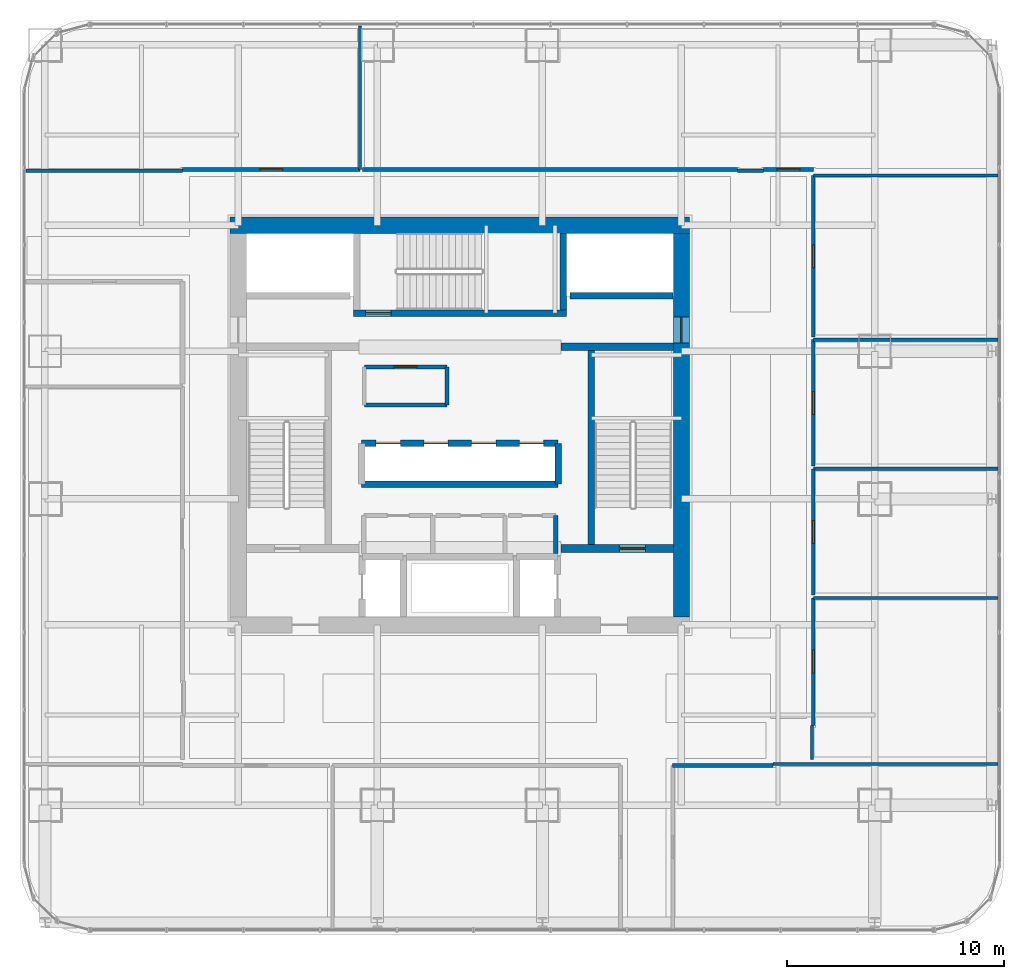
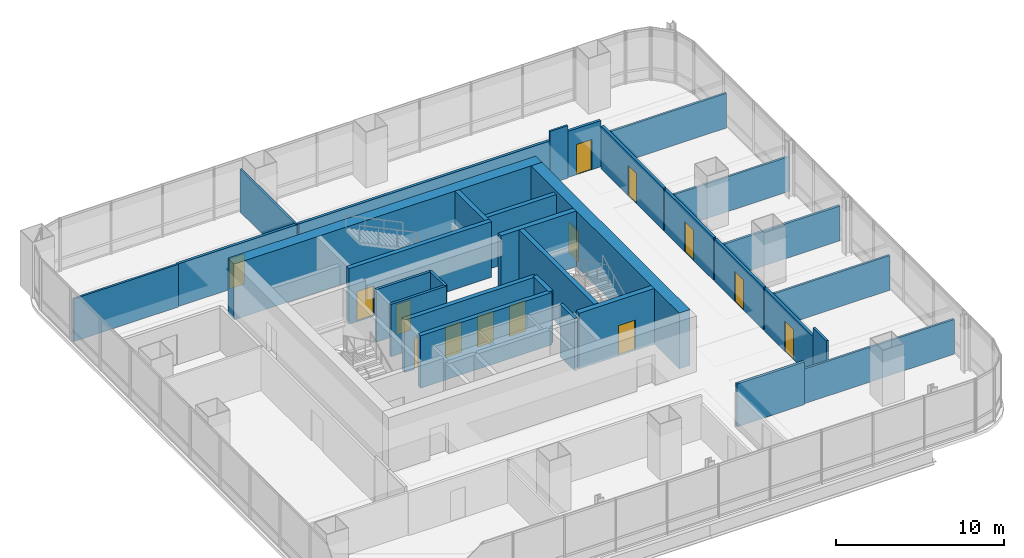
# One storey, part 28 of 34: 32 walls, 14 doors, 14 openings.
"""IFC4 building model written with IfcOpenShell, lengths in metres."""

from ifc_helpers import new_model, si_unit, direction, frame, frame_2d, origin, place, context, subcontext, project, spatial, rectangle, extrude, material, layer, layer_set, type_object, element, fill, save


model = new_model("IFC4")

# Units and contexts
model_context = context("Model", 3, precision=1e-05, world=origin(), true_north=direction((0.0, 1.0)))
body_context = subcontext(model_context, "Body", "Model", "MODEL_VIEW")
ifc_project = project(units=[si_unit("LENGTHUNIT", "METRE"), si_unit("AREAUNIT", "SQUARE_METRE"), si_unit("VOLUMEUNIT", "CUBIC_METRE"), si_unit("PLANEANGLEUNIT", "RADIAN"), si_unit("MASSUNIT", "GRAM", prefix="KILO")], contexts=[model_context])

# Site, building, storey
site_placement = place(None, origin())
site = spatial("IfcSite", under=ifc_project, at=site_placement, CompositionType="ELEMENT")
building_placement = place(site_placement, origin())
building = spatial("IfcBuilding", under=site, at=building_placement, Name="Punatoya Terracotta Tower", CompositionType="ELEMENT")
storey_placement = place(building_placement, frame((0.0, 0.0, 84.89990234375)))
storey = spatial("IfcBuildingStorey", under=building, at=storey_placement, Name="L19", CompositionType="ELEMENT", Elevation=84.89990234375)

# Wall
ifc_material_1 = material(Name="Concrete C60/75", Category="concrete")
ifc_layer_1 = layer(ifc_material_1, 0.75)
ifc_layer_set_1 = layer_set([ifc_layer_1], Name="Concrete C60/75")
wall_type_1 = type_object("IfcWallType", Name="WL-COR-750", PredefinedType="SHEAR", material=ifc_layer_set_1)
wall_1_placement = place(storey_placement, frame((-10.574951171875, 9.199951171875, 0.0), z_axis=(0.0, 0.0, 1.0), x_axis=(1.0, 0.0, 0.0)))
element("IfcWall", 1, at=wall_1_placement, inside=storey, type_object=wall_type_1, Name="L19 Core Shear Wall N", PredefinedType="SHEAR", context=body_context, shape_type="SweptSolid", body=[
    extrude(rectangle(XDim=21.14990234375, YDim=0.75, at=frame_2d((10.574951171875, 0.0))), origin(), (0.0, 0.0, 1.0), 4.050048828125),
])

# Wall, opening, door
wall_2_placement = place(storey_placement, frame((10.199951171875, 8.824951171875, 0.0), z_axis=(0.0, 0.0, 1.0), x_axis=(0.0, -1.0, 0.0)))
wall_2 = element("IfcWall", 2, at=wall_2_placement, inside=storey, type_object=wall_type_1, Name="L19 Core Shear Wall E", PredefinedType="SHEAR", context=body_context, shape_type="SweptSolid", body=[
    extrude(rectangle(XDim=17.64990234375, YDim=0.75, at=frame_2d((8.824951171875, 0.0))), origin(), (0.0, 0.0, 1.0), 4.050048828125),
])
opening_1_placement = place(wall_2_placement, frame((3.85498046875, 0.0, 0.0)))
opening_1 = element("IfcOpeningElement", 3, at=opening_1_placement, cuts=wall_2, Name="Opening SD-01", PredefinedType="OPENING", context=body_context, shape_type="SweptSolid", body=[
    extrude(rectangle(XDim=1.179931640625, YDim=2.199951171875, at=frame_2d((0.58984375, 1.10009765625))), frame((0.0, 0.385009765625, 0.0), z_axis=(0.0, -1.0, 0.0), x_axis=(1.0, 0.0, 0.0)), (0.0, 0.0, 1.0), 0.77001953125),
])
ifc_material_2 = material(Name="Galvanised Steel Pressurized Stair Fire Door", Category="steel")
door_type_1 = type_object("IfcDoorType", Name="DR-STR-1180", OperationType="NOTDEFINED", PredefinedType="DOOR", material=ifc_material_2)
door_1_placement = place(opening_1_placement, origin())
door_1 = element("IfcDoor", 4, at=door_1_placement, inside=storey, type_object=door_type_1, Name="L19 Central Lift Lobby East Fire Door", OperationType="SINGLE_SWING_RIGHT", OverallHeight=2.199951171875, OverallWidth=1.179931640625, PredefinedType="DOOR", context=body_context, shape_type="SweptSolid", body=[
    extrude(rectangle(XDim=1.179931640625, YDim=2.199951171875, at=frame_2d((0.58984375, 1.10009765625))), frame((0.0, 0.02490234375, 0.0), z_axis=(0.0, -1.0, 0.0), x_axis=(1.0, 0.0, 0.0)), (0.0, 0.0, 1.0), 0.050048828125),
])
fill(opening_1, door_1)

# Wall
ifc_material_3 = material(Name="Gypsum Fireboard + Steel Stud", Category="steel")
ifc_layer_2 = layer(ifc_material_3, 0.179931640625)
ifc_layer_set_2 = layer_set([ifc_layer_2], Name="Gypsum Fireboard + Steel Stud")
wall_type_2 = type_object("IfcWallType", Name="WL-CORR-180", PredefinedType="PARTITIONING", material=ifc_layer_set_2)
wall_3_placement = place(storey_placement, frame((-0.60009765625, 0.919921875, 0.0), z_axis=(0.0, 0.0, 1.0), x_axis=(0.0, 1.0, 0.0)))
element("IfcWall", 5, at=wall_3_placement, inside=storey, type_object=wall_type_2, Name="L19 West Core Archive Office Partition 08", PredefinedType="PARTITIONING", context=body_context, shape_type="SweptSolid", body=[
    extrude(rectangle(XDim=1.760009765625, YDim=0.179931640625, at=frame_2d((0.8798828125, 0.0))), origin(), (0.0, 0.0, 1.0), 3.81005859375),
])

# Wall, opening, door
wall_4_placement = place(storey_placement, frame((-0.60009765625, 2.679931640625, 0.0), z_axis=(0.0, 0.0, 1.0), x_axis=(-1.0, 0.0, 0.0)))
wall_4 = element("IfcWall", 6, at=wall_4_placement, inside=storey, type_object=wall_type_2, Name="L19 West Core Archive Office Partition 09", PredefinedType="PARTITIONING", context=body_context, shape_type="SweptSolid", body=[
    extrude(rectangle(XDim=3.7998046875, YDim=0.179931640625, at=frame_2d((1.89990234375, 0.0))), origin(), (0.0, 0.0, 1.0), 3.81005859375),
])
opening_2_placement = place(wall_4_placement, frame((1.375, 0.0, 0.0)))
opening_2 = element("IfcOpeningElement", 7, at=opening_2_placement, cuts=wall_4, Name="Opening OD-01", PredefinedType="OPENING", context=body_context, shape_type="SweptSolid", body=[
    extrude(rectangle(XDim=1.050048828125, YDim=2.199951171875, at=frame_2d((0.52490234375, 1.10009765625))), frame((0.0, 0.099853515625, 0.0), z_axis=(0.0, -1.0, 0.0), x_axis=(1.0, 0.0, 0.0)), (0.0, 0.0, 1.0), 0.199951171875),
])
ifc_material_4 = material(Name="Bengal Teak Solid-Core Leaf")
door_type_2 = type_object("IfcDoorType", Name="DR-OFF-1050", OperationType="NOTDEFINED", PredefinedType="DOOR", material=ifc_material_4)
door_2_placement = place(opening_2_placement, origin())
door_2 = element("IfcDoor", 8, at=door_2_placement, inside=storey, type_object=door_type_2, Name="L19 West Archive Office Door", OperationType="SINGLE_SWING_RIGHT", OverallHeight=2.199951171875, OverallWidth=1.050048828125, PredefinedType="DOOR", context=body_context, shape_type="SweptSolid", body=[
    extrude(rectangle(XDim=1.050048828125, YDim=2.199951171875, at=frame_2d((0.52490234375, 1.10009765625))), frame((0.0, 0.02490234375, 0.0), z_axis=(0.0, -1.0, 0.0), x_axis=(1.0, 0.0, 0.0)), (0.0, 0.0, 1.0), 0.050048828125),
])
fill(opening_2, door_2)

# Walls
wall_5_placement = place(storey_placement, frame((-4.39990234375, 0.919921875, 0.0), z_axis=(0.0, 0.0, 1.0), x_axis=(1.0, 0.0, 0.0)))
element("IfcWall", 9, at=wall_5_placement, inside=storey, type_object=wall_type_2, Name="L19 West Core Archive Office Partition 11", PredefinedType="PARTITIONING", context=body_context, shape_type="SweptSolid", body=[
    extrude(rectangle(XDim=3.7998046875, YDim=0.179931640625, at=frame_2d((1.89990234375, 0.0))), origin(), (0.0, 0.0, 1.0), 3.81005859375),
])
wall_6_placement = place(storey_placement, frame((9.800048828125, -15.669921875, 0.0), z_axis=(0.0, 0.0, 1.0), x_axis=(1.0, 0.0, 0.0)))
element("IfcWall", 10, at=wall_6_placement, inside=storey, type_object=wall_type_2, Name="L19 Open-Plan Materials Testing Laboratory Partition 18", PredefinedType="PARTITIONING", context=body_context, shape_type="SweptSolid", body=[
    extrude(rectangle(XDim=4.619873046875, YDim=0.179931640625, at=frame_2d((2.31005859375, 0.0))), origin(), (0.0, 0.0, 1.0), 3.10400390625),
])

# Wall, opening, door
wall_7_placement = place(storey_placement, frame((16.27001953125, -13.820068359375, 0.0), z_axis=(0.0, 0.0, 1.0), x_axis=(0.0, 1.0, 0.0)))
wall_7 = element("IfcWall", 11, at=wall_7_placement, inside=storey, type_object=wall_type_2, Name="L19 Environmental Research Laboratory Partition 21", PredefinedType="PARTITIONING", context=body_context, shape_type="SweptSolid", body=[
    extrude(rectangle(XDim=5.8701171875, YDim=0.179931640625, at=frame_2d((2.93505859375, 0.0))), origin(), (0.0, 0.0, 1.0), 3.10400390625),
])
opening_3_placement = place(wall_7_placement, frame((2.409912109375, 0.0, 0.0)))
opening_3 = element("IfcOpeningElement", 12, at=opening_3_placement, cuts=wall_7, Name="Opening OD-01", PredefinedType="OPENING", context=body_context, shape_type="SweptSolid", body=[
    extrude(rectangle(XDim=1.050048828125, YDim=2.199951171875, at=frame_2d((0.52490234375, 1.10009765625))), frame((0.0, 0.099853515625, 0.0), z_axis=(0.0, -1.0, 0.0), x_axis=(1.0, 0.0, 0.0)), (0.0, 0.0, 1.0), 0.199951171875),
])
door_3_placement = place(opening_3_placement, origin())
door_3 = element("IfcDoor", 13, at=door_3_placement, inside=storey, type_object=door_type_2, Name="L19 Environmental Research Laboratory Door", OperationType="SINGLE_SWING_RIGHT", OverallHeight=2.199951171875, OverallWidth=1.050048828125, PredefinedType="DOOR", context=body_context, shape_type="SweptSolid", body=[
    extrude(rectangle(XDim=1.050048828125, YDim=2.199951171875, at=frame_2d((0.52490234375, 1.10009765625))), frame((0.0, 0.02490234375, 0.0), z_axis=(0.0, -1.0, 0.0), x_axis=(1.0, 0.0, 0.0)), (0.0, 0.0, 1.0), 0.050048828125),
])
fill(opening_3, door_3)

wall_8_placement = place(storey_placement, frame((16.27001953125, -7.830078125, 0.0), z_axis=(0.0, 0.0, 1.0), x_axis=(0.0, 1.0, 0.0)))
wall_8 = element("IfcWall", 14, at=wall_8_placement, inside=storey, type_object=wall_type_2, Name="L19 Open-Plan Laboratory Staff Pantry Partition 27", PredefinedType="PARTITIONING", context=body_context, shape_type="SweptSolid", body=[
    extrude(rectangle(XDim=5.820068359375, YDim=0.179931640625, at=frame_2d((2.91015625, 0.0))), origin(), (0.0, 0.0, 1.0), 3.10400390625),
])
opening_4_placement = place(wall_8_placement, frame((2.385009765625, 0.0, 0.0)))
opening_4 = element("IfcOpeningElement", 15, at=opening_4_placement, cuts=wall_8, Name="Opening OD-01", PredefinedType="OPENING", context=body_context, shape_type="SweptSolid", body=[
    extrude(rectangle(XDim=1.050048828125, YDim=2.199951171875, at=frame_2d((0.52490234375, 1.10009765625))), frame((0.0, 0.099853515625, 0.0), z_axis=(0.0, -1.0, 0.0), x_axis=(1.0, 0.0, 0.0)), (0.0, 0.0, 1.0), 0.199951171875),
])
door_4_placement = place(opening_4_placement, origin())
door_4 = element("IfcDoor", 16, at=door_4_placement, inside=storey, type_object=door_type_2, Name="L19 Open-Plan Laboratory Staff Pantry Door", OperationType="SINGLE_SWING_RIGHT", OverallHeight=2.199951171875, OverallWidth=1.050048828125, PredefinedType="DOOR", context=body_context, shape_type="SweptSolid", body=[
    extrude(rectangle(XDim=1.050048828125, YDim=2.199951171875, at=frame_2d((0.52490234375, 1.10009765625))), frame((0.0, 0.02490234375, 0.0), z_axis=(0.0, -1.0, 0.0), x_axis=(1.0, 0.0, 0.0)), (0.0, 0.0, 1.0), 0.050048828125),
])
fill(opening_4, door_4)

wall_9_placement = place(storey_placement, frame((16.27001953125, -1.889892578125, 0.0), z_axis=(0.0, 0.0, 1.0), x_axis=(0.0, 1.0, 0.0)))
wall_9 = element("IfcWall", 17, at=wall_9_placement, inside=storey, type_object=wall_type_2, Name="L19 Open-Plan Wellness Rest Room Partition 29", PredefinedType="PARTITIONING", context=body_context, shape_type="SweptSolid", body=[
    extrude(rectangle(XDim=5.81982421875, YDim=0.179931640625, at=frame_2d((2.909912109375, 0.0))), origin(), (0.0, 0.0, 1.0), 3.10400390625),
])
opening_5_placement = place(wall_9_placement, frame((2.385009765625, 0.0, 0.0)))
opening_5 = element("IfcOpeningElement", 18, at=opening_5_placement, cuts=wall_9, Name="Opening OD-01", PredefinedType="OPENING", context=body_context, shape_type="SweptSolid", body=[
    extrude(rectangle(XDim=1.050048828125, YDim=2.199951171875, at=frame_2d((0.52490234375, 1.10009765625))), frame((0.0, 0.099853515625, 0.0), z_axis=(0.0, -1.0, 0.0), x_axis=(1.0, 0.0, 0.0)), (0.0, 0.0, 1.0), 0.199951171875),
])
door_5_placement = place(opening_5_placement, origin())
door_5 = element("IfcDoor", 19, at=door_5_placement, inside=storey, type_object=door_type_2, Name="L19 Open-Plan Wellness Rest Room Door", OperationType="SINGLE_SWING_LEFT", OverallHeight=2.199951171875, OverallWidth=1.050048828125, PredefinedType="DOOR", context=body_context, shape_type="SweptSolid", body=[
    extrude(rectangle(XDim=1.050048828125, YDim=2.199951171875, at=frame_2d((0.52490234375, 1.10009765625))), frame((0.0, 0.02490234375, 0.0), z_axis=(0.0, -1.0, 0.0), x_axis=(1.0, 0.0, 0.0)), (0.0, 0.0, 1.0), 0.050048828125),
])
fill(opening_5, door_5)

wall_10_placement = place(storey_placement, frame((16.27001953125, 4.050048828125, 0.0), z_axis=(0.0, 0.0, 1.0), x_axis=(0.0, 1.0, 0.0)))
wall_10 = element("IfcWall", 20, at=wall_10_placement, inside=storey, type_object=wall_type_2, Name="L19 Hydrology Modelling Laboratory Partition 33", PredefinedType="PARTITIONING", context=body_context, shape_type="SweptSolid", body=[
    extrude(rectangle(XDim=7.43994140625, YDim=0.179931640625, at=frame_2d((3.719970703125, 0.0))), origin(), (0.0, 0.0, 1.0), 3.10400390625),
])
opening_6_placement = place(wall_10_placement, frame((3.195068359375, 0.0, 0.0)))
opening_6 = element("IfcOpeningElement", 21, at=opening_6_placement, cuts=wall_10, Name="Opening OD-01", PredefinedType="OPENING", context=body_context, shape_type="SweptSolid", body=[
    extrude(rectangle(XDim=1.050048828125, YDim=2.199951171875, at=frame_2d((0.52490234375, 1.10009765625))), frame((0.0, 0.099853515625, 0.0), z_axis=(0.0, -1.0, 0.0), x_axis=(1.0, 0.0, 0.0)), (0.0, 0.0, 1.0), 0.199951171875),
])
door_6_placement = place(opening_6_placement, origin())
door_6 = element("IfcDoor", 22, at=door_6_placement, inside=storey, type_object=door_type_2, Name="L19 Hydrology Modelling Laboratory Door", OperationType="SINGLE_SWING_LEFT", OverallHeight=2.199951171875, OverallWidth=1.050048828125, PredefinedType="DOOR", context=body_context, shape_type="SweptSolid", body=[
    extrude(rectangle(XDim=1.050048828125, YDim=2.199951171875, at=frame_2d((0.52490234375, 1.10009765625))), frame((0.0, 0.02490234375, 0.0), z_axis=(0.0, -1.0, 0.0), x_axis=(1.0, 0.0, 0.0)), (0.0, 0.0, 1.0), 0.050048828125),
])
fill(opening_6, door_6)

wall_11_placement = place(storey_placement, frame((-4.60498046875, 11.77001953125, 0.0), z_axis=(0.0, 0.0, 1.0), x_axis=(-1.0, 0.0, 0.0)))
wall_11 = element("IfcWall", 23, at=wall_11_placement, inside=storey, type_object=wall_type_2, Name="L19 Open-Plan Urban Analytics Laboratory Partition 36", PredefinedType="PARTITIONING", context=body_context, shape_type="SweptSolid", body=[
    extrude(rectangle(XDim=8.1650390625, YDim=0.179931640625, at=frame_2d((4.08251953125, 0.0))), origin(), (0.0, 0.0, 1.0), 3.10400390625),
])
opening_7_placement = place(wall_11_placement, frame((3.5576171875, 0.0, 0.0)))
opening_7 = element("IfcOpeningElement", 24, at=opening_7_placement, cuts=wall_11, Name="Opening OD-01", PredefinedType="OPENING", context=body_context, shape_type="SweptSolid", body=[
    extrude(rectangle(XDim=1.050048828125, YDim=2.199951171875, at=frame_2d((0.52490234375, 1.10009765625))), frame((0.0, 0.099853515625, 0.0), z_axis=(0.0, -1.0, 0.0), x_axis=(1.0, 0.0, 0.0)), (0.0, 0.0, 1.0), 0.199951171875),
])
door_7_placement = place(opening_7_placement, origin())
door_7 = element("IfcDoor", 25, at=door_7_placement, inside=storey, type_object=door_type_2, Name="L19 Open-Plan Urban Analytics Laboratory Door", OperationType="SINGLE_SWING_RIGHT", OverallHeight=2.199951171875, OverallWidth=1.050048828125, PredefinedType="DOOR", context=body_context, shape_type="SweptSolid", body=[
    extrude(rectangle(XDim=1.050048828125, YDim=2.199951171875, at=frame_2d((0.52490234375, 1.10009765625))), frame((0.0, 0.02490234375, 0.0), z_axis=(0.0, -1.0, 0.0), x_axis=(1.0, 0.0, 0.0)), (0.0, 0.0, 1.0), 0.050048828125),
])
fill(opening_7, door_7)

wall_12_placement = place(storey_placement, frame((16.27001953125, 11.77001953125, 0.0), z_axis=(0.0, 0.0, 1.0), x_axis=(-1.0, 0.0, 0.0)))
wall_12 = element("IfcWall", 26, at=wall_12_placement, inside=storey, type_object=wall_type_2, Name="L19 Computational Simulation Laboratory Partition 38", PredefinedType="PARTITIONING", context=body_context, shape_type="SweptSolid", body=[
    extrude(rectangle(XDim=2.2900390625, YDim=0.179931640625, at=frame_2d((1.14501953125, 0.0))), origin(), (0.0, 0.0, 1.0), 3.35400390625),
])
opening_8_placement = place(wall_12_placement, frame((0.6201171875, 0.0, 0.0)))
opening_8 = element("IfcOpeningElement", 27, at=opening_8_placement, cuts=wall_12, Name="Opening OD-01", PredefinedType="OPENING", context=body_context, shape_type="SweptSolid", body=[
    extrude(rectangle(XDim=1.050048828125, YDim=2.199951171875, at=frame_2d((0.52490234375, 1.10009765625))), frame((0.0, 0.099853515625, 0.0), z_axis=(0.0, -1.0, 0.0), x_axis=(1.0, 0.0, 0.0)), (0.0, 0.0, 1.0), 0.199951171875),
])
door_8_placement = place(opening_8_placement, origin())
door_8 = element("IfcDoor", 28, at=door_8_placement, inside=storey, type_object=door_type_2, Name="L19 Computational Simulation Laboratory Door", OperationType="SINGLE_SWING_LEFT", OverallHeight=2.199951171875, OverallWidth=1.050048828125, PredefinedType="DOOR", context=body_context, shape_type="SweptSolid", body=[
    extrude(rectangle(XDim=1.050048828125, YDim=2.199951171875, at=frame_2d((0.52490234375, 1.10009765625))), frame((0.0, 0.02490234375, 0.0), z_axis=(0.0, -1.0, 0.0), x_axis=(1.0, 0.0, 0.0)), (0.0, 0.0, 1.0), 0.050048828125),
])
fill(opening_8, door_8)

# Walls
wall_13_placement = place(storey_placement, frame((12.77001953125, 11.77001953125, 0.0), z_axis=(0.0, 0.0, 1.0), x_axis=(-1.0, 0.0, 0.0)))
element("IfcWall", 29, at=wall_13_placement, inside=storey, type_object=wall_type_2, Name="L19 Computational Simulation Laboratory Partition 40", PredefinedType="PARTITIONING", context=body_context, shape_type="SweptSolid", body=[
    extrude(rectangle(XDim=17.255126953125, YDim=0.179931640625, at=frame_2d((8.62744140625, 0.0))), origin(), (0.0, 0.0, 1.0), 3.10400390625),
])
ifc_material_5 = material(Name="Concrete C40/50", Category="concrete")
ifc_layer_3 = layer(ifc_material_5, 0.199951171875)
ifc_layer_set_3 = layer_set([ifc_layer_3], Name="Concrete C40/50")
wall_type_3 = type_object("IfcWallType", Name="WL-INT-200", PredefinedType="SOLIDWALL", material=ifc_layer_set_3)
wall_14_placement = place(storey_placement, frame((4.419921875, -5.89990234375, 0.0), z_axis=(0.0, 0.0, 1.0), x_axis=(0.0, 1.0, 0.0)))
element("IfcWall", 30, at=wall_14_placement, inside=storey, type_object=wall_type_3, Name="L19 Core Electrical Switchgear Room Partition 06", PredefinedType="SOLIDWALL", context=body_context, shape_type="SweptSolid", body=[
    extrude(rectangle(XDim=1.739990234375, YDim=0.199951171875, at=frame_2d((0.8701171875, 0.0))), origin(), (0.0, 0.0, 1.0), 3.81005859375),
])
ifc_material_6 = material(Name="Acoustic Gypsum + Steel Stud", Category="steel")
ifc_layer_4 = layer(ifc_material_6, 0.139892578125)
ifc_layer_set_4 = layer_set([ifc_layer_4], Name="Acoustic Gypsum + Steel Stud")
wall_type_4 = type_object("IfcWallType", Name="WL-OFF-140", PredefinedType="PARTITIONING", material=ifc_layer_set_4)
wall_15_placement = place(storey_placement, frame((14.419921875, -15.610107421875, 0.0), z_axis=(0.0, 0.0, 1.0), x_axis=(1.0, 0.0, 0.0)))
element("IfcWall", 31, at=wall_15_placement, inside=storey, type_object=wall_type_4, Name="L19 Open-Plan Materials Testing Laboratory Partition 19", PredefinedType="PARTITIONING", context=body_context, shape_type="SweptSolid", body=[
    extrude(rectangle(XDim=10.35009765625, YDim=0.139892578125, at=frame_2d((5.175048828125, 0.0))), origin(), (0.0, 0.0, 1.0), 2.524169921875),
])
wall_16_placement = place(storey_placement, frame((16.2099609375, -15.389892578125, 0.0), z_axis=(0.0, 0.0, 1.0), x_axis=(0.0, 1.0, 0.0)))
element("IfcWall", 32, at=wall_16_placement, inside=storey, type_object=wall_type_4, Name="L19 Environmental Research Laboratory Partition 20", PredefinedType="PARTITIONING", context=body_context, shape_type="SweptSolid", body=[
    extrude(rectangle(XDim=1.56982421875, YDim=0.139892578125, at=frame_2d((0.784912109375, 0.0))), origin(), (0.0, 0.0, 1.0), 3.81005859375),
])
for number, where, z_axis, x_axis, name in (
    (33, (16.27001953125, -7.949951171875, 0.0), (0.0, 0.0, 1.0), (1.0, 0.0, 0.0), "L19 Environmental Research Laboratory Partition 22"),
    (34, (16.27001953125, 3.929931640625, 0.0), (0.0, 0.0, 1.0), (1.0, 0.0, 0.0), "L19 Open-Plan Wellness Rest Room Partition 30"),
    (35, (16.27001953125, 11.489990234375, 0.0), (0.0, 0.0, 1.0), (1.0, 0.0, 0.0), "L19 Hydrology Modelling Laboratory Partition 34"),
):
    element("IfcWall", number, at=place(storey_placement, frame(where, z_axis=z_axis, x_axis=x_axis)), inside=storey, type_object=wall_type_4, Name=name, PredefinedType="PARTITIONING", context=body_context, shape_type="SweptSolid", body=[
        extrude(rectangle(XDim=8.5, YDim=0.139892578125, at=frame_2d((4.25, 0.0))), origin(), (0.0, 0.0, 1.0), 2.524169921875),
    ])
wall_17_placement = place(storey_placement, frame((-4.60498046875, 18.3701171875, 0.0), z_axis=(0.0, 0.0, 1.0), x_axis=(0.0, -1.0, 0.0)))
element("IfcWall", 36, at=wall_17_placement, inside=storey, type_object=wall_type_4, Name="L19 Open-Plan Urban Analytics Laboratory Partition 35", PredefinedType="PARTITIONING", context=body_context, shape_type="SweptSolid", body=[
    extrude(rectangle(XDim=6.60009765625, YDim=0.139892578125, at=frame_2d((3.300048828125, 0.0))), origin(), (0.0, 0.0, 1.0), 3.10400390625),
])
wall_18_placement = place(storey_placement, frame((-12.77001953125, 11.7099609375, 0.0), z_axis=(0.0, 0.0, 1.0), x_axis=(-1.0, 0.0, 0.0)))
element("IfcWall", 37, at=wall_18_placement, inside=storey, type_object=wall_type_4, Name="L19 Open-Plan Urban Analytics Laboratory Partition 37", PredefinedType="PARTITIONING", context=body_context, shape_type="SweptSolid", body=[
    extrude(rectangle(XDim=7.199951171875, YDim=0.139892578125, at=frame_2d((3.60009765625, 0.0))), origin(), (0.0, 0.0, 1.0), 3.10400390625),
])
wall_19_placement = place(storey_placement, frame((13.97998046875, 11.7099609375, 0.0), z_axis=(0.0, 0.0, 1.0), x_axis=(-1.0, 0.0, 0.0)))
element("IfcWall", 38, at=wall_19_placement, inside=storey, type_object=wall_type_4, Name="L19 Computational Simulation Laboratory Partition 39", PredefinedType="PARTITIONING", context=body_context, shape_type="SweptSolid", body=[
    extrude(rectangle(XDim=1.2099609375, YDim=0.139892578125, at=frame_2d((0.60498046875, 0.0))), origin(), (0.0, 0.0, 1.0), 3.81005859375),
])
ifc_layer_5 = layer(ifc_material_5, 0.300048828125)
ifc_layer_set_5 = layer_set([ifc_layer_5], Name="Concrete C40/50")
wall_type_5 = type_object("IfcWallType", Name="WL-SHF-300", PredefinedType="SOLIDWALL", material=ifc_layer_set_5)
wall_20_placement = place(storey_placement, frame((6.050048828125, 3.449951171875, 0.0), z_axis=(0.0, 0.0, 1.0), x_axis=(0.0, -1.0, 0.0)))
element("IfcWall", 39, at=wall_20_placement, inside=storey, type_object=wall_type_5, Name="L19 Structural Stair Shaft Wall SW-ST2-W", PredefinedType="SOLIDWALL", context=body_context, shape_type="SweptSolid", body=[
    extrude(rectangle(XDim=8.949951171875, YDim=0.300048828125, at=frame_2d((4.47509765625, 0.0))), origin(), (0.0, 0.0, 1.0), 4.050048828125),
])
wall_21_placement = place(storey_placement, frame((4.75, 8.824951171875, 0.0), z_axis=(0.0, 0.0, 1.0), x_axis=(0.0, -1.0, 0.0)))
element("IfcWall", 40, at=wall_21_placement, inside=storey, type_object=wall_type_5, Name="L19 Structural Stair Shaft Wall SW-ST3-E", PredefinedType="SOLIDWALL", context=body_context, shape_type="SweptSolid", body=[
    extrude(rectangle(XDim=3.52490234375, YDim=0.300048828125, at=frame_2d((1.762451171875, 0.0))), origin(), (0.0, 0.0, 1.0), 4.050048828125),
])

# Wall, opening, door
wall_22_placement = place(storey_placement, frame((-4.89990234375, 5.14990234375, 0.0), z_axis=(0.0, 0.0, 1.0), x_axis=(1.0, 0.0, 0.0)))
wall_22 = element("IfcWall", 41, at=wall_22_placement, inside=storey, type_object=wall_type_5, Name="L19 Structural Stair Shaft Wall SW-ST3-S", PredefinedType="SOLIDWALL", context=body_context, shape_type="SweptSolid", body=[
    extrude(rectangle(XDim=9.7998046875, YDim=0.300048828125, at=frame_2d((4.89990234375, 0.0))), origin(), (0.0, 0.0, 1.0), 4.050048828125),
])
opening_9_placement = place(wall_22_placement, frame((0.56005859375, 0.0, 0.0)))
opening_9 = element("IfcOpeningElement", 42, at=opening_9_placement, cuts=wall_22, Name="Opening SD-01", PredefinedType="OPENING", context=body_context, shape_type="SweptSolid", body=[
    extrude(rectangle(XDim=1.179931640625, YDim=2.199951171875, at=frame_2d((0.58984375, 1.10009765625))), frame((0.0, 0.159912109375, 0.0), z_axis=(0.0, -1.0, 0.0), x_axis=(1.0, 0.0, 0.0)), (0.0, 0.0, 1.0), 0.320068359375),
])
door_9_placement = place(opening_9_placement, origin())
door_9 = element("IfcDoor", 43, at=door_9_placement, inside=storey, type_object=door_type_1, Name="L19 Stair ST-3 Core Lobby Fire Door", OperationType="SINGLE_SWING_LEFT", OverallHeight=2.199951171875, OverallWidth=1.179931640625, PredefinedType="DOOR", context=body_context, shape_type="SweptSolid", body=[
    extrude(rectangle(XDim=1.179931640625, YDim=2.199951171875, at=frame_2d((0.58984375, 1.10009765625))), frame((0.0, 0.02490234375, 0.0), z_axis=(0.0, -1.0, 0.0), x_axis=(1.0, 0.0, 0.0)), (0.0, 0.0, 1.0), 0.050048828125),
])
fill(opening_9, door_9)

# Wall, openings, doors
wall_23_placement = place(storey_placement, frame((-4.52001953125, -0.840087890625, 0.0), z_axis=(0.0, 0.0, 1.0), x_axis=(1.0, 0.0, 0.0)))
wall_23 = element("IfcWall", 44, at=wall_23_placement, inside=storey, type_object=wall_type_5, Name="L19 South Lift Bank Front Shaft Wall", PredefinedType="SOLIDWALL", context=body_context, shape_type="SweptSolid", body=[
    extrude(rectangle(XDim=9.0400390625, YDim=0.300048828125, at=frame_2d((4.52001953125, 0.0))), origin(), (0.0, 0.0, 1.0), 3.81005859375),
])
opening_10_placement = place(wall_23_placement, frame((0.659912109375, 0.0, 0.0)))
opening_10 = element("IfcOpeningElement", 45, at=opening_10_placement, cuts=wall_23, Name="Opening LD-02", PredefinedType="OPENING", context=body_context, shape_type="SweptSolid", body=[
    extrude(rectangle(XDim=1.1201171875, YDim=2.25, at=frame_2d((0.56005859375, 1.125))), frame((0.0, 0.159912109375, 0.0), z_axis=(0.0, -1.0, 0.0), x_axis=(1.0, 0.0, 0.0)), (0.0, 0.0, 1.0), 0.320068359375),
])
opening_11_placement = place(wall_23_placement, frame((2.860107421875, 0.0, 0.0)))
opening_11 = element("IfcOpeningElement", 46, at=opening_11_placement, cuts=wall_23, Name="Opening LD-02", PredefinedType="OPENING", context=body_context, shape_type="SweptSolid", body=[
    extrude(rectangle(XDim=1.1201171875, YDim=2.25, at=frame_2d((0.56005859375, 1.125))), frame((0.0, 0.159912109375, 0.0), z_axis=(0.0, -1.0, 0.0), x_axis=(1.0, 0.0, 0.0)), (0.0, 0.0, 1.0), 0.320068359375),
])
opening_12_placement = place(wall_23_placement, frame((5.06005859375, 0.0, 0.0)))
opening_12 = element("IfcOpeningElement", 47, at=opening_12_placement, cuts=wall_23, Name="Opening LD-02", PredefinedType="OPENING", context=body_context, shape_type="SweptSolid", body=[
    extrude(rectangle(XDim=1.1201171875, YDim=2.25, at=frame_2d((0.56005859375, 1.125))), frame((0.0, 0.159912109375, 0.0), z_axis=(0.0, -1.0, 0.0), x_axis=(1.0, 0.0, 0.0)), (0.0, 0.0, 1.0), 0.320068359375),
])
opening_13_placement = place(wall_23_placement, frame((7.260009765625, 0.0, 0.0)))
opening_13 = element("IfcOpeningElement", 48, at=opening_13_placement, cuts=wall_23, Name="Opening LD-02", PredefinedType="OPENING", context=body_context, shape_type="SweptSolid", body=[
    extrude(rectangle(XDim=1.1201171875, YDim=2.25, at=frame_2d((0.56005859375, 1.125))), frame((0.0, 0.159912109375, 0.0), z_axis=(0.0, -1.0, 0.0), x_axis=(1.0, 0.0, 0.0)), (0.0, 0.0, 1.0), 0.320068359375),
])
ifc_material_7 = material(Name="Stainless Steel Lift Landing Door", Category="steel")
door_type_3 = type_object("IfcDoorType", Name="DR-LND-1120", OperationType="NOTDEFINED", PredefinedType="DOOR", material=ifc_material_7)
door_10_placement = place(opening_10_placement, origin())
door_10 = element("IfcDoor", 49, at=door_10_placement, inside=storey, type_object=door_type_3, Name="L19 Lift PL-L1 Sliding Landing Door", OperationType="DOUBLE_DOOR_SLIDING", OverallHeight=2.25, OverallWidth=1.1201171875, PredefinedType="DOOR", context=body_context, shape_type="SweptSolid", body=[
    extrude(rectangle(XDim=1.1201171875, YDim=2.25, at=frame_2d((0.56005859375, 1.125))), frame((0.0, 0.02490234375, 0.0), z_axis=(0.0, -1.0, 0.0), x_axis=(1.0, 0.0, 0.0)), (0.0, 0.0, 1.0), 0.050048828125),
])
fill(opening_10, door_10)
door_11_placement = place(opening_11_placement, origin())
door_11 = element("IfcDoor", 50, at=door_11_placement, inside=storey, type_object=door_type_3, Name="L19 Lift PL-L2 Sliding Landing Door", OperationType="DOUBLE_DOOR_SLIDING", OverallHeight=2.25, OverallWidth=1.1201171875, PredefinedType="DOOR", context=body_context, shape_type="SweptSolid", body=[
    extrude(rectangle(XDim=1.1201171875, YDim=2.25, at=frame_2d((0.56005859375, 1.125))), frame((0.0, 0.02490234375, 0.0), z_axis=(0.0, -1.0, 0.0), x_axis=(1.0, 0.0, 0.0)), (0.0, 0.0, 1.0), 0.050048828125),
])
fill(opening_11, door_11)
door_12_placement = place(opening_12_placement, origin())
door_12 = element("IfcDoor", 51, at=door_12_placement, inside=storey, type_object=door_type_3, Name="L19 Lift PL-L3 Sliding Landing Door", OperationType="DOUBLE_DOOR_SLIDING", OverallHeight=2.25, OverallWidth=1.1201171875, PredefinedType="DOOR", context=body_context, shape_type="SweptSolid", body=[
    extrude(rectangle(XDim=1.1201171875, YDim=2.25, at=frame_2d((0.56005859375, 1.125))), frame((0.0, 0.02490234375, 0.0), z_axis=(0.0, -1.0, 0.0), x_axis=(1.0, 0.0, 0.0)), (0.0, 0.0, 1.0), 0.050048828125),
])
fill(opening_12, door_12)
door_13_placement = place(opening_13_placement, origin())
door_13 = element("IfcDoor", 52, at=door_13_placement, inside=storey, type_object=door_type_3, Name="L19 Lift PL-L4 Sliding Landing Door", OperationType="DOUBLE_DOOR_SLIDING", OverallHeight=2.25, OverallWidth=1.1201171875, PredefinedType="DOOR", context=body_context, shape_type="SweptSolid", body=[
    extrude(rectangle(XDim=1.1201171875, YDim=2.25, at=frame_2d((0.56005859375, 1.125))), frame((0.0, 0.02490234375, 0.0), z_axis=(0.0, -1.0, 0.0), x_axis=(1.0, 0.0, 0.0)), (0.0, 0.0, 1.0), 0.050048828125),
])
fill(opening_13, door_13)

# Walls
wall_24_placement = place(storey_placement, frame((-4.52001953125, -2.719970703125, 0.0), z_axis=(0.0, 0.0, 1.0), x_axis=(1.0, 0.0, 0.0)))
element("IfcWall", 53, at=wall_24_placement, inside=storey, type_object=wall_type_5, Name="L19 South Lift Bank Rear Shaft Wall", PredefinedType="SOLIDWALL", context=body_context, shape_type="SweptSolid", body=[
    extrude(rectangle(XDim=9.0400390625, YDim=0.300048828125, at=frame_2d((4.52001953125, 0.0))), origin(), (0.0, 0.0, 1.0), 3.81005859375),
])
wall_25_placement = place(storey_placement, frame((4.52001953125, -2.719970703125, 0.0), z_axis=(0.0, 0.0, 1.0), x_axis=(0.0, 1.0, 0.0)))
element("IfcWall", 54, at=wall_25_placement, inside=storey, type_object=wall_type_5, Name="L19 South Lift Bank East End Wall", PredefinedType="SOLIDWALL", context=body_context, shape_type="SweptSolid", body=[
    extrude(rectangle(XDim=1.8798828125, YDim=0.300048828125, at=frame_2d((0.93994140625, 0.0))), origin(), (0.0, 0.0, 1.0), 3.81005859375),
])
wall_26_placement = place(storey_placement, frame((5.06005859375, 5.949951171875, 0.0), z_axis=(0.0, 0.0, 1.0), x_axis=(1.0, 0.0, 0.0)))
element("IfcWall", 55, at=wall_26_placement, inside=storey, type_object=wall_type_5, Name="L19 Shuttle SL-2 South Hoistway Wall", PredefinedType="SOLIDWALL", context=body_context, shape_type="SweptSolid", body=[
    extrude(rectangle(XDim=4.760009765625, YDim=0.300048828125, at=frame_2d((2.3798828125, 0.0))), origin(), (0.0, 0.0, 1.0), 3.81005859375),
])

# Wall, opening, door
ifc_material_8 = material(Name="Concrete C50/60", Category="concrete")
ifc_layer_6 = layer(ifc_material_8, 0.35009765625)
ifc_layer_set_6 = layer_set([ifc_layer_6], Name="Concrete C50/60")
wall_type_6 = type_object("IfcWallType", Name="WL-SHF-350", PredefinedType="SOLIDWALL", material=ifc_layer_set_6)
wall_27_placement = place(storey_placement, frame((4.64990234375, -5.679931640625, 0.0), z_axis=(0.0, 0.0, 1.0), x_axis=(1.0, 0.0, 0.0)))
wall_27 = element("IfcWall", 56, at=wall_27_placement, inside=storey, type_object=wall_type_6, Name="L19 Core Web Wall CSW-R", PredefinedType="SOLIDWALL", context=body_context, shape_type="SweptSolid", body=[
    extrude(rectangle(XDim=5.175048828125, YDim=0.35009765625, at=frame_2d((2.58740234375, 0.0))), origin(), (0.0, 0.0, 1.0), 4.050048828125),
])
opening_14_placement = place(wall_27_placement, frame((2.7099609375, 0.0, 0.0)))
opening_14 = element("IfcOpeningElement", 57, at=opening_14_placement, cuts=wall_27, Name="Opening SD-01", PredefinedType="OPENING", context=body_context, shape_type="SweptSolid", body=[
    extrude(rectangle(XDim=1.179931640625, YDim=2.199951171875, at=frame_2d((0.58984375, 1.10009765625))), frame((0.0, 0.18505859375, 0.0), z_axis=(0.0, -1.0, 0.0), x_axis=(1.0, 0.0, 0.0)), (0.0, 0.0, 1.0), 0.3701171875),
])
door_14_placement = place(opening_14_placement, origin())
door_14 = element("IfcDoor", 58, at=door_14_placement, inside=storey, type_object=door_type_1, Name="L19 Stair ST-2 Smokeproof Lobby Fire Door", OperationType="SINGLE_SWING_RIGHT", OverallHeight=2.199951171875, OverallWidth=1.179931640625, PredefinedType="DOOR", context=body_context, shape_type="SweptSolid", body=[
    extrude(rectangle(XDim=1.179931640625, YDim=2.199951171875, at=frame_2d((0.58984375, 1.10009765625))), frame((0.0, 0.02490234375, 0.0), z_axis=(0.0, -1.0, 0.0), x_axis=(1.0, 0.0, 0.0)), (0.0, 0.0, 1.0), 0.050048828125),
])
fill(opening_14, door_14)

# Walls
wall_28_placement = place(storey_placement, frame((4.64990234375, 3.60009765625, 0.0), z_axis=(0.0, 0.0, 1.0), x_axis=(1.0, 0.0, 0.0)))
element("IfcWall", 59, at=wall_28_placement, inside=storey, type_object=wall_type_6, Name="L19 Core Web Wall CNW-R", PredefinedType="SOLIDWALL", context=body_context, shape_type="SweptSolid", body=[
    extrude(rectangle(XDim=5.175048828125, YDim=0.35009765625, at=frame_2d((2.58740234375, 0.0))), origin(), (0.0, 0.0, 1.0), 4.050048828125),
])
ifc_material_9 = material(Name="Masonry Blockwork + Ceramic Tile", Category="masonry")
ifc_layer_7 = layer(ifc_material_9, 0.159912109375)
ifc_layer_set_7 = layer_set([ifc_layer_7], Name="Masonry Blockwork + Ceramic Tile")
wall_type_7 = type_object("IfcWallType", Name="WL-WET-160", PredefinedType="PARTITIONING", material=ifc_layer_set_7)
wall_29_placement = place(storey_placement, frame((16.27001953125, -2.010009765625, 0.0), z_axis=(0.0, 0.0, 1.0), x_axis=(1.0, 0.0, 0.0)))
element("IfcWall", 60, at=wall_29_placement, inside=storey, type_object=wall_type_7, Name="L19 Open-Plan Laboratory Staff Pantry Partition 28", PredefinedType="PARTITIONING", context=body_context, shape_type="SweptSolid", body=[
    extrude(rectangle(XDim=8.5, YDim=0.159912109375, at=frame_2d((4.25, 0.0))), origin(), (0.0, 0.0, 1.0), 2.524169921875),
])

save(model, "model.ifc")
